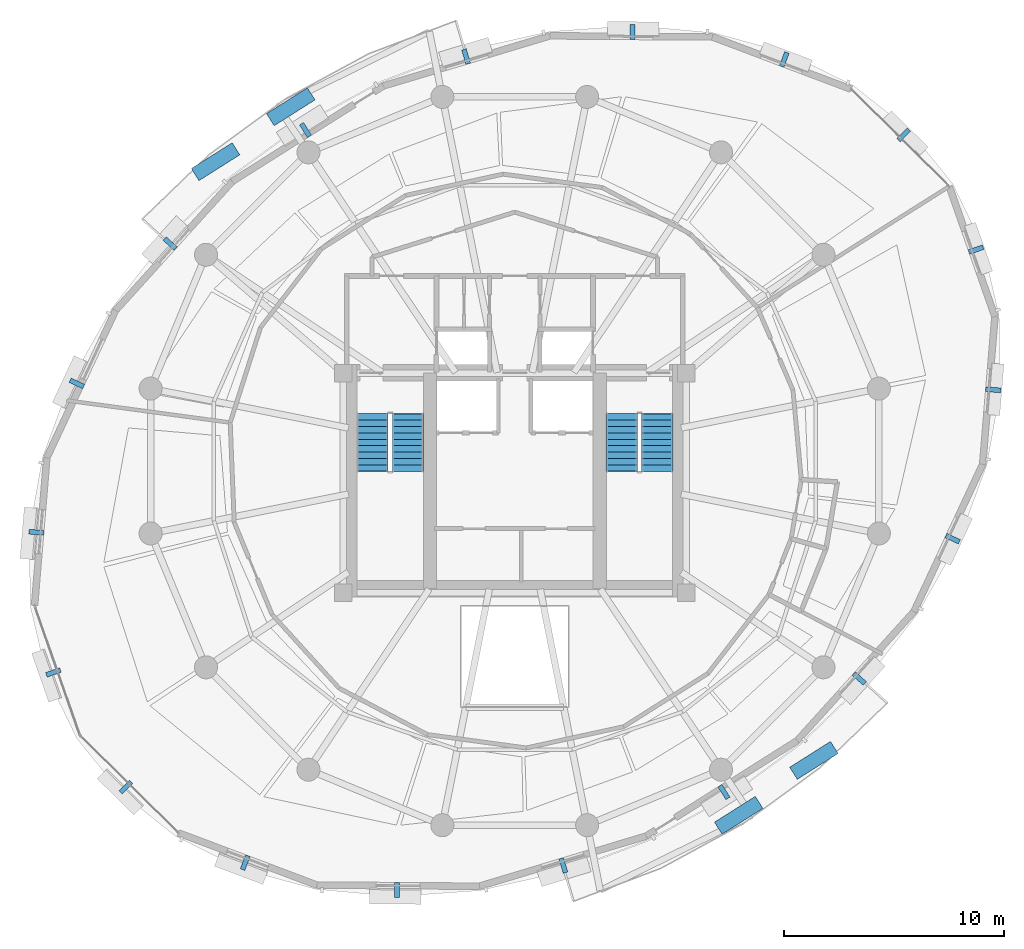
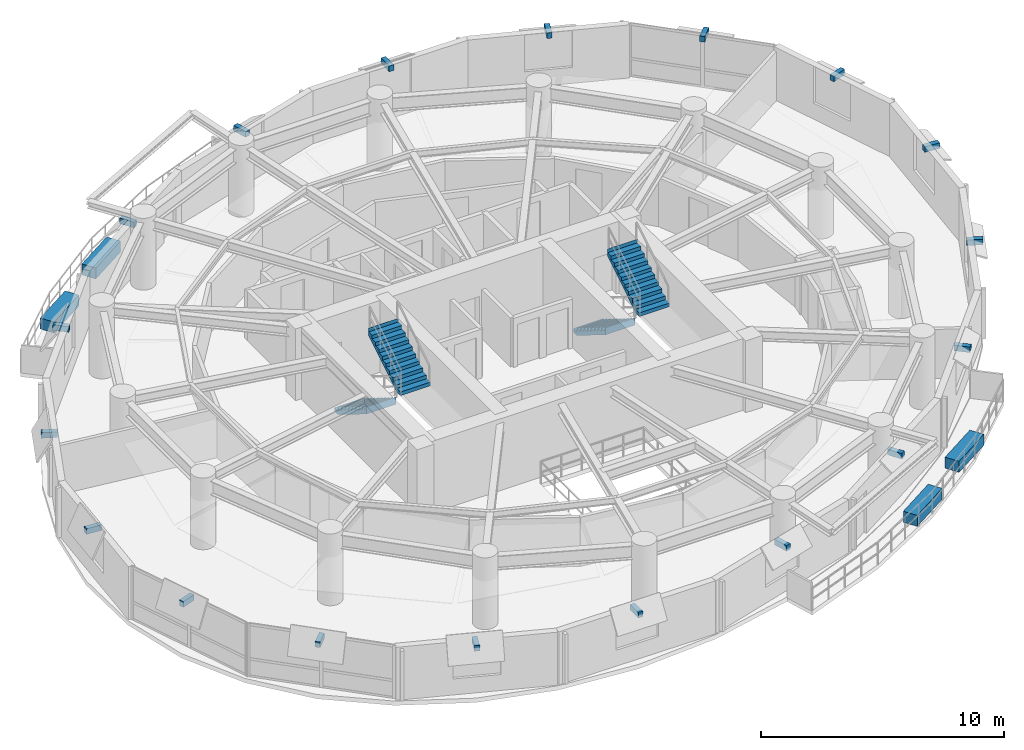
# One storey, part 10 of 12: 22 discrete accessories, 4 stair flights, 2 elements without a shape of their own.
"""IFC4 building model written with IfcOpenShell, lengths in metres."""

import ifcopenshell
import ifcopenshell.guid

model = None  # the IFC model being written
_history = None  # IfcOwnerHistory: only IFC2X3 demands one
_inside = {}  # id of a spatial element -> (the spatial element, [elements in it])
_under = {}  # id of a project, library or spatial element -> (it, [spatial elements below it])
_declared = {}  # id of a project -> (the project, [libraries it declares])
_typed = {}  # id of a type object -> (the type object, [elements of that type])
_made_of = {}  # id of a material, layer set ... -> (it, [elements and type objects made of it])


def new_model(schema):
    """Start an empty IFC model of exactly this schema.

    Asked for "IFC4X3", IfcOpenShell would pick the latest addendum, in which some entities
    have other attributes; the version numbers below select the first issue.
    IFC2X3 requires an IfcOwnerHistory on every rooted entity: one is made here for all.
    """
    global model, _history
    if schema == "IFC4X3":
        model = ifcopenshell.file(schema_version=(4, 3, 0, 0))
    else:
        model = ifcopenshell.file(schema=schema)
    _inside.clear()
    _under.clear()
    _declared.clear()
    _typed.clear()
    _made_of.clear()
    _history = None
    if model.schema == "IFC2X3":
        org = make("IfcOrganization", Name="unknown")
        user = make(
            "IfcPersonAndOrganization",
            ThePerson=make("IfcPerson", FamilyName="unknown"),
            TheOrganization=org,
        )
        app = make(
            "IfcApplication",
            ApplicationDeveloper=org,
            Version="unknown",
            ApplicationFullName="unknown",
            ApplicationIdentifier="unknown",
        )
        _history = make(
            "IfcOwnerHistory",
            OwningUser=user,
            OwningApplication=app,
            ChangeAction="ADDED",
            CreationDate=0,
        )
    return model


def make(cls, **values):
    """One entity of the class cls with the attributes given. An attribute that is None is left unset."""
    return model.create_entity(
        cls, **{name: value for name, value in values.items() if value is not None}
    )


def rooted(cls, **values):
    """An entity with a GlobalId (a new one), such as an element, a storey or a relation."""
    return make(cls, GlobalId=ifcopenshell.guid.new(), OwnerHistory=_history, **values)


def si_unit(unit_type, name, prefix=None):
    """IfcSIUnit, for example si_unit("LENGTHUNIT", "METRE", prefix="MILLI")."""
    return make("IfcSIUnit", UnitType=unit_type, Prefix=prefix, Name=name)


def assignment(units):
    """IfcUnitAssignment: the units of a project."""
    return None if units is None else make("IfcUnitAssignment", Units=units)


def point(xyz):
    """IfcCartesianPoint."""
    return None if xyz is None else make("IfcCartesianPoint", Coordinates=xyz)


def direction(xyz):
    """IfcDirection."""
    return None if xyz is None else make("IfcDirection", DirectionRatios=xyz)


def frame(location, z_axis=None, x_axis=None):
    """IfcAxis2Placement3D, a coordinate frame: its origin and axes. An axis left out is left unset."""
    return make(
        "IfcAxis2Placement3D",
        Location=point(location),
        Axis=direction(z_axis),
        RefDirection=direction(x_axis),
    )


def frame_2d(location, x_axis=None):
    """IfcAxis2Placement2D, a coordinate frame in the plane: its origin and x axis."""
    return make(
        "IfcAxis2Placement2D", Location=point(location), RefDirection=direction(x_axis)
    )


def origin():
    """The frame at (0, 0, 0) with its axes left unset."""
    return frame((0.0, 0.0, 0.0))


def origin_2d():
    """The frame at (0, 0) in the plane with its x axis left unset."""
    return frame_2d((0.0, 0.0))


def place(relative_to, where):
    """IfcLocalPlacement: puts the frame where relative to a parent placement (None: the world)."""
    return make(
        "IfcLocalPlacement", PlacementRelTo=relative_to, RelativePlacement=where
    )


def context(
    kind, dimensions, precision=None, world=None, true_north=None, identifier=None
):
    """IfcGeometricRepresentationContext, for example the 3D "Model" context."""
    return make(
        "IfcGeometricRepresentationContext",
        ContextIdentifier=identifier,
        ContextType=kind,
        CoordinateSpaceDimension=dimensions,
        Precision=precision,
        WorldCoordinateSystem=world,
        TrueNorth=true_north,
    )


def subcontext(parent, identifier, kind, view, scale=None):
    """IfcGeometricRepresentationSubContext, for example "Body" below "Model"."""
    return make(
        "IfcGeometricRepresentationSubContext",
        ContextIdentifier=identifier,
        ContextType=kind,
        ParentContext=parent,
        TargetScale=scale,
        TargetView=view,
    )


def project(units=None, contexts=None):
    """IfcProject with its units and contexts."""
    return rooted(
        "IfcProject",
        Name="project",
        RepresentationContexts=contexts,
        UnitsInContext=assignment(units),
    )


def spatial(cls, under=None, at=None, **own):
    """A site, building, storey or space (cls), placed at a placement, below another one or the project."""
    s = rooted(cls, ObjectPlacement=at, **own)
    if under is not None:
        _under.setdefault(under.id(), (under, []))[1].append(s)
    return s


def polyline(points):
    """IfcPolyline through the points."""
    return make("IfcPolyline", Points=[point(p) for p in points])


def profile(cls, at=None, kind="AREA", **sizes):
    """A parametric profile (cls). Its sizes go by their IFC names, for example OverallWidth=200.0."""
    return make(cls, ProfileType=kind, Position=at, **sizes)


def rectangle(**sizes):
    """IfcRectangleProfileDef."""
    return profile("IfcRectangleProfileDef", **sizes)


def outline(outer, holes=None, kind="AREA"):
    """IfcArbitraryClosedProfileDef: a profile drawn as a closed curve; with holes, ...WithVoids."""
    if holes is None:
        return make("IfcArbitraryClosedProfileDef", ProfileType=kind, OuterCurve=outer)
    return make(
        "IfcArbitraryProfileDefWithVoids",
        ProfileType=kind,
        OuterCurve=outer,
        InnerCurves=holes,
    )


def extrude(swept, where, along, depth):
    """IfcExtrudedAreaSolid: the profile swept, set in the frame where, extruded along a direction by depth."""
    return make(
        "IfcExtrudedAreaSolid",
        SweptArea=swept,
        Position=where,
        ExtrudedDirection=direction(along),
        Depth=depth,
    )


def shape(context_of_items, identifier, shape_type, items):
    """IfcShapeRepresentation: the items that make up one representation, for example the "Body"."""
    return make(
        "IfcShapeRepresentation",
        ContextOfItems=context_of_items,
        RepresentationIdentifier=identifier,
        RepresentationType=shape_type,
        Items=items,
    )


def material(Name=None, Category=None):
    """IfcMaterial."""
    return make("IfcMaterial", Name=Name, Category=Category)


def made_of(thing, what):
    """Note that an element or type object is made of a material, layer set ...; save() writes the relation."""
    if what is not None:
        _made_of.setdefault(what.id(), (what, []))[1].append(thing)
    return thing


def type_object(cls, material=None, **own):
    """A type object (cls), such as IfcWallType, which elements share."""
    return made_of(rooted(cls, **own), material)


def element(
    cls,
    number,
    at=None,
    inside=None,
    cuts=None,
    type_object=None,
    material=None,
    context=None,
    identifier="Body",
    shape_type=None,
    held_by="IfcProductDefinitionShape",
    body=None,
    shapes=None,
    **own,
):
    """One element of the class cls, such as IfcWall. Its Tag is "e" and its number.

    at: its placement. inside: the storey or other place that contains it. cuts: it is an
    opening in that element (IfcRelVoidsElement). A single representation is given by context,
    identifier, shape_type and body (its items); several are given by shapes. held_by: the class
    of the entity that holds the representations. save() writes the other relations.
    """
    e = rooted(cls, Tag="e%d" % number, ObjectPlacement=at, **own)
    if body is not None:
        shapes = [shape(context, identifier, shape_type, body)]
    if shapes is not None:
        e.Representation = make(held_by, Representations=shapes)
    if inside is not None:
        _inside.setdefault(inside.id(), (inside, []))[1].append(e)
    if cuts is not None:
        rooted(
            "IfcRelVoidsElement", RelatingBuildingElement=cuts, RelatedOpeningElement=e
        )
    if type_object is not None:
        _typed.setdefault(type_object.id(), (type_object, []))[1].append(e)
    return made_of(e, material)


def aggregate(whole, parts):
    """IfcRelAggregates: a whole, such as a stair, and the parts it consists of."""
    return rooted("IfcRelAggregates", RelatingObject=whole, RelatedObjects=parts)


def save(model, path):
    """Write the relations noted so far, then the file.

    IfcRelAggregates (storeys below a building ...), IfcRelContainedInSpatialStructure (elements
    in a storey), IfcRelDefinesByType, IfcRelAssociatesMaterial and IfcRelDeclares: one each for
    every whole, place, type object, material and project.
    """
    for whole, parts in _under.values():
        aggregate(whole, parts)
    for where, things in _inside.values():
        rooted(
            "IfcRelContainedInSpatialStructure",
            RelatedElements=things,
            RelatingStructure=where,
        )
    for kind, things in _typed.values():
        rooted("IfcRelDefinesByType", RelatedObjects=things, RelatingType=kind)
    for what, things in _made_of.values():
        rooted("IfcRelAssociatesMaterial", RelatedObjects=things, RelatingMaterial=what)
    for by, libraries in _declared.values():
        rooted("IfcRelDeclares", RelatingContext=by, RelatedDefinitions=libraries)
    model.write(path)


model = new_model("IFC4")

# Units and contexts
model_context = context("Model", 3, precision=1e-05, world=origin(), true_north=direction((0.0, 1.0)))
body_context = subcontext(model_context, "Body", "Model", "MODEL_VIEW")
ifc_project = project(units=[si_unit("LENGTHUNIT", "METRE"), si_unit("AREAUNIT", "SQUARE_METRE"), si_unit("VOLUMEUNIT", "CUBIC_METRE"), si_unit("PLANEANGLEUNIT", "RADIAN"), si_unit("MASSUNIT", "GRAM", prefix="KILO"), si_unit("THERMODYNAMICTEMPERATUREUNIT", "KELVIN"), si_unit("POWERUNIT", "WATT")], contexts=[model_context])

# Site, building, storey
site_placement = place(None, origin())
site = spatial("IfcSite", under=ifc_project, at=site_placement, CompositionType="ELEMENT")
building_placement = place(site_placement, origin())
building = spatial("IfcBuilding", under=site, at=building_placement, Name="Ocrelia Relay Tower", CompositionType="ELEMENT")
storey_placement = place(building_placement, frame((0.0, 0.0, 170.0)))
storey = spatial("IfcBuildingStorey", under=building, at=storey_placement, Name="L40", CompositionType="ELEMENT", Elevation=170.0)

# Stair, stair flights
ifc_material_1 = material(Name="Concrete C50/60", Category="concrete")
stair_type = type_object("IfcStairType", Name="ST-DL-1420-R180", PredefinedType="HALF_TURN_STAIR", material=ifc_material_1)
stair_1_placement = place(storey_placement, origin())
stair_1 = element("IfcStair", 1, at=stair_1_placement, inside=storey, type_object=stair_type, Name="L40 West Core Exit Stair ST1", PredefinedType="HALF_TURN_STAIR")
stair_flight_type = type_object("IfcStairFlightType", Name="STF-DL-1420-R180", PredefinedType="STRAIGHT", material=ifc_material_1)
stair_flight_1_placement = place(storey_placement, frame((27.52001953125, 28.14990234375, 0.0), z_axis=(0.0, 0.0, 1.0), x_axis=(0.0, -1.0, 0.0)))
stair_flight_1 = element("IfcStairFlight", 2, at=stair_flight_1_placement, type_object=stair_flight_type, Name="ST1 flight 1", NumberOfRisers=10, NumberOfTreads=9, PredefinedType="STRAIGHT", RiserHeight=0.18, TreadLength=0.29, context=body_context, shape_type="SweptSolid", body=[
    extrude(outline(polyline([(-0.008056640625, 0.0), (-0.008056640625, 0.179931640625), (0.0, 0.179931640625), (0.2900390625, 0.179931640625), (0.2900390625, 0.360107421875), (0.580078125, 0.360107421875), (0.580078125, 0.5400390625), (0.8701171875, 0.5400390625), (0.8701171875, 0.719970703125), (1.159912109375, 0.719970703125), (1.159912109375, 0.89990234375), (1.449951171875, 0.89990234375), (1.449951171875, 1.080078125), (1.739990234375, 1.080078125), (1.739990234375, 1.260009765625), (2.030029296875, 1.260009765625), (2.030029296875, 1.43994140625), (2.320068359375, 1.43994140625), (2.320068359375, 1.6201171875), (2.610107421875, 1.6201171875), (2.610107421875, 1.800048828125), (2.617919921875, 1.800048828125), (2.617919921875, 1.443603515625), (0.2841796875, 0.0), (-0.008056640625, 0.0)])), frame((0.0, 0.7099609375, 0.0), z_axis=(0.0, -1.0, 0.0), x_axis=(1.0, 0.0, 0.0)), (0.0, 0.0, 1.0), 1.419921875),
])
stair_flight_2_placement = place(storey_placement, frame((29.139892578125, 25.5400390625, 1.800048828125), z_axis=(0.0, 0.0, 1.0), x_axis=(0.0, 1.0, 0.0)))
stair_flight_2 = element("IfcStairFlight", 3, at=stair_flight_2_placement, type_object=stair_flight_type, Name="ST1 flight 2", NumberOfRisers=10, NumberOfTreads=9, PredefinedType="STRAIGHT", RiserHeight=0.18, TreadLength=0.29, context=body_context, shape_type="SweptSolid", body=[
    extrude(outline(polyline([(-0.008056640625, 0.0), (-0.008056640625, 0.179931640625), (0.0, 0.179931640625), (0.2900390625, 0.179931640625), (0.2900390625, 0.360107421875), (0.580078125, 0.360107421875), (0.580078125, 0.5400390625), (0.8701171875, 0.5400390625), (0.8701171875, 0.719970703125), (1.159912109375, 0.719970703125), (1.159912109375, 0.89990234375), (1.449951171875, 0.89990234375), (1.449951171875, 1.080078125), (1.739990234375, 1.080078125), (1.739990234375, 1.260009765625), (2.030029296875, 1.260009765625), (2.030029296875, 1.43994140625), (2.320068359375, 1.43994140625), (2.320068359375, 1.6201171875), (2.610107421875, 1.6201171875), (2.610107421875, 1.800048828125), (2.617919921875, 1.800048828125), (2.617919921875, 1.443603515625), (0.2841796875, 0.0), (-0.008056640625, 0.0)])), frame((0.0, 0.7099609375, 0.0), z_axis=(0.0, -1.0, 0.0), x_axis=(1.0, 0.0, 0.0)), (0.0, 0.0, 1.0), 1.419921875),
])
aggregate(stair_1, [stair_flight_1, stair_flight_2])

stair_2_placement = place(storey_placement, origin())
stair_2 = element("IfcStair", 4, at=stair_2_placement, inside=storey, type_object=stair_type, Name="L40 East Core Exit Stair ST2", PredefinedType="HALF_TURN_STAIR")
stair_flight_3_placement = place(storey_placement, frame((38.8701171875, 28.14990234375, 0.0), z_axis=(0.0, 0.0, 1.0), x_axis=(0.0, -1.0, 0.0)))
stair_flight_3 = element("IfcStairFlight", 5, at=stair_flight_3_placement, type_object=stair_flight_type, Name="ST2 flight 1", NumberOfRisers=10, NumberOfTreads=9, PredefinedType="STRAIGHT", RiserHeight=0.18, TreadLength=0.29, context=body_context, shape_type="SweptSolid", body=[
    extrude(outline(polyline([(-0.008056640625, 0.0), (-0.008056640625, 0.179931640625), (0.0, 0.179931640625), (0.2900390625, 0.179931640625), (0.2900390625, 0.360107421875), (0.580078125, 0.360107421875), (0.580078125, 0.5400390625), (0.8701171875, 0.5400390625), (0.8701171875, 0.719970703125), (1.159912109375, 0.719970703125), (1.159912109375, 0.89990234375), (1.449951171875, 0.89990234375), (1.449951171875, 1.080078125), (1.739990234375, 1.080078125), (1.739990234375, 1.260009765625), (2.030029296875, 1.260009765625), (2.030029296875, 1.43994140625), (2.320068359375, 1.43994140625), (2.320068359375, 1.6201171875), (2.610107421875, 1.6201171875), (2.610107421875, 1.800048828125), (2.617919921875, 1.800048828125), (2.617919921875, 1.443603515625), (0.2841796875, 0.0), (-0.008056640625, 0.0)])), frame((0.0, 0.7099609375, 0.0), z_axis=(0.0, -1.0, 0.0), x_axis=(1.0, 0.0, 0.0)), (0.0, 0.0, 1.0), 1.419921875),
])
stair_flight_4_placement = place(storey_placement, frame((40.489990234375, 25.5400390625, 1.800048828125), z_axis=(0.0, 0.0, 1.0), x_axis=(0.0, 1.0, 0.0)))
stair_flight_4 = element("IfcStairFlight", 6, at=stair_flight_4_placement, type_object=stair_flight_type, Name="ST2 flight 2", NumberOfRisers=10, NumberOfTreads=9, PredefinedType="STRAIGHT", RiserHeight=0.18, TreadLength=0.29, context=body_context, shape_type="SweptSolid", body=[
    extrude(outline(polyline([(-0.008056640625, 0.0), (-0.008056640625, 0.179931640625), (0.0, 0.179931640625), (0.2900390625, 0.179931640625), (0.2900390625, 0.360107421875), (0.580078125, 0.360107421875), (0.580078125, 0.5400390625), (0.8701171875, 0.5400390625), (0.8701171875, 0.719970703125), (1.159912109375, 0.719970703125), (1.159912109375, 0.89990234375), (1.449951171875, 0.89990234375), (1.449951171875, 1.080078125), (1.739990234375, 1.080078125), (1.739990234375, 1.260009765625), (2.030029296875, 1.260009765625), (2.030029296875, 1.43994140625), (2.320068359375, 1.43994140625), (2.320068359375, 1.6201171875), (2.610107421875, 1.6201171875), (2.610107421875, 1.800048828125), (2.617919921875, 1.800048828125), (2.617919921875, 1.443603515625), (0.2841796875, 0.0), (-0.008056640625, 0.0)])), frame((0.0, 0.7099609375, 0.0), z_axis=(0.0, -1.0, 0.0), x_axis=(1.0, 0.0, 0.0)), (0.0, 0.0, 1.0), 1.419921875),
])
aggregate(stair_2, [stair_flight_3, stair_flight_4])

# Discrete accessories
ifc_material_2 = material(Name="Precast concrete C40/50 planter with highland greenery", Category="concrete")
discrete_accessory_type_1 = type_object("IfcDiscreteAccessoryType", Name="ACC-BALC-PLANTER", PredefinedType="USERDEFINED", material=ifc_material_2)
for number, where, z_axis, x_axis, name in (
    (7, (23.805908203125, 42.12548828125, 0.0), (0.0, 0.0, 1.0), (0.845260862866, 0.534353884338, 0.0), "L40 Balcony Terracotta Planter with Greenery B1"),
    (8, (20.382568359375, 39.62548828125, 0.0), (0.0, 0.0, 1.0), (0.845260862866, 0.534353884338, 0.0), "L40 Balcony Terracotta Planter B1-2"),
    (9, (44.194091796875, 9.87451171875, 0.0), (0.0, 0.0, 1.0), (-0.845260862866, -0.534353884338, 0.0), "L40 Balcony Terracotta Planter with Greenery B2"),
    (10, (47.617431640625, 12.37451171875, 0.0), (0.0, 0.0, 1.0), (-0.845260862866, -0.534353884338, 0.0), "L40 Balcony Terracotta Planter B2-2"),
):
    element("IfcDiscreteAccessory", number, at=place(storey_placement, frame(where, z_axis=z_axis, x_axis=x_axis)), inside=storey, type_object=discrete_accessory_type_1, Name=name, ObjectType="PLANTER", PredefinedType="USERDEFINED", context=body_context, shape_type="SweptSolid", body=[
        extrude(rectangle(XDim=2.199951171875, YDim=0.64990234375, at=origin_2d()), origin(), (0.0, 0.0, 1.0), 0.550048828125),
    ])
ifc_material_3 = material(Name="Steel S355", Category="steel")
discrete_accessory_type_2 = type_object("IfcDiscreteAccessoryType", Name="ACC-VISOR-BRACKET", PredefinedType="BRACKET", material=ifc_material_3)
for number, where, z_axis, x_axis, name in (
    (11, (51.7001953125, 40.8427734375, 2.35986328125), (0.0, 0.0, 1.0), (-0.710552264425, 0.70364442691, 0.0), "L40 Visor Mounting Bracket 01"),
    (12, (46.270751953125, 44.280517578125, 2.35986328125), (0.0, 0.0, 1.0), (-0.935712369431, 0.352763889443, 0.0), "L40 Visor Mounting Bracket 02"),
    (13, (39.357666015625, 45.5224609375, 2.35986328125), (0.0, 0.0, 1.0), (-0.999976235063, 0.006894150376, 0.0), "L40 Visor Mounting Bracket 03"),
    (14, (31.78662109375, 44.411865234375, 2.35986328125), (0.0, 0.0, 1.0), (-0.957615276523, -0.288050311872, 0.0), "L40 Visor Mounting Bracket 04"),
    (15, (24.473388671875, 41.0693359375, 2.35986328125), (0.0, 0.0, 1.0), (-0.845263388112, -0.534349889789, 0.0), "L40 Visor Mounting Bracket 05"),
    (16, (18.3173828125, 35.89697265625, 2.35986328125), (0.0, 0.0, 1.0), (-0.670961878921, -0.741491845562, 0.0), "L40 Visor Mounting Bracket 06"),
    (17, (14.066650390625, 29.533935546875, 2.35986328125), (0.0, 0.0, 1.0), (-0.422693786677, -0.906272565349, 0.0), "L40 Visor Mounting Bracket 07"),
    (18, (12.223388671875, 22.756591796875, 2.35986328125), (0.0, 0.0, 1.0), (-0.082698244637, -0.996574633599, 0.0), "L40 Visor Mounting Bracket 08"),
    (19, (12.999755859375, 16.377197265625, 2.35986328125), (0.0, 0.0, 1.0), (0.330844541602, -0.943685270253, 0.0), "L40 Visor Mounting Bracket 09"),
    (20, (16.2998046875, 11.1572265625, 2.35986328125), (0.0, 0.0, 1.0), (0.710552264425, -0.70364442691, 0.0), "L40 Visor Mounting Bracket 10"),
    (21, (21.729248046875, 7.719482421875, 2.35986328125), (0.0, 0.0, 1.0), (0.935712369431, -0.352763889443, 0.0), "L40 Visor Mounting Bracket 11"),
    (22, (28.642333984375, 6.4775390625, 2.35986328125), (0.0, 0.0, 1.0), (0.999976235063, -0.006894150376, 0.0), "L40 Visor Mounting Bracket 12"),
    (23, (36.21337890625, 7.588134765625, 2.35986328125), (0.0, 0.0, 1.0), (0.957615276523, 0.288050311872, 0.0), "L40 Visor Mounting Bracket 13"),
    (24, (43.526611328125, 10.9306640625, 2.35986328125), (0.0, 0.0, 1.0), (0.845263388112, 0.534349889789, 0.0), "L40 Visor Mounting Bracket 14"),
    (25, (49.6826171875, 16.10302734375, 2.35986328125), (0.0, 0.0, 1.0), (0.670961878921, 0.741491845562, 0.0), "L40 Visor Mounting Bracket 15"),
    (26, (53.933349609375, 22.466064453125, 2.35986328125), (0.0, 0.0, 1.0), (0.422693786677, 0.906272565349, 0.0), "L40 Visor Mounting Bracket 16"),
    (27, (55.776611328125, 29.243408203125, 2.35986328125), (0.0, 0.0, 1.0), (0.082698244637, 0.996574633599, 0.0), "L40 Visor Mounting Bracket 17"),
    (28, (55.000244140625, 35.622802734375, 2.35986328125), (0.0, 0.0, 1.0), (-0.330844541602, 0.943685270253, 0.0), "L40 Visor Mounting Bracket 18"),
):
    element("IfcDiscreteAccessory", number, at=place(storey_placement, frame(where, z_axis=z_axis, x_axis=x_axis)), inside=storey, type_object=discrete_accessory_type_2, Name=name, PredefinedType="BRACKET", context=body_context, shape_type="SweptSolid", body=[
        extrude(rectangle(XDim=0.219970703125, YDim=0.679931640625, at=origin_2d()), origin(), (0.0, 0.0, 1.0), 0.280029296875),
    ])

save(model, "model.ifc")
